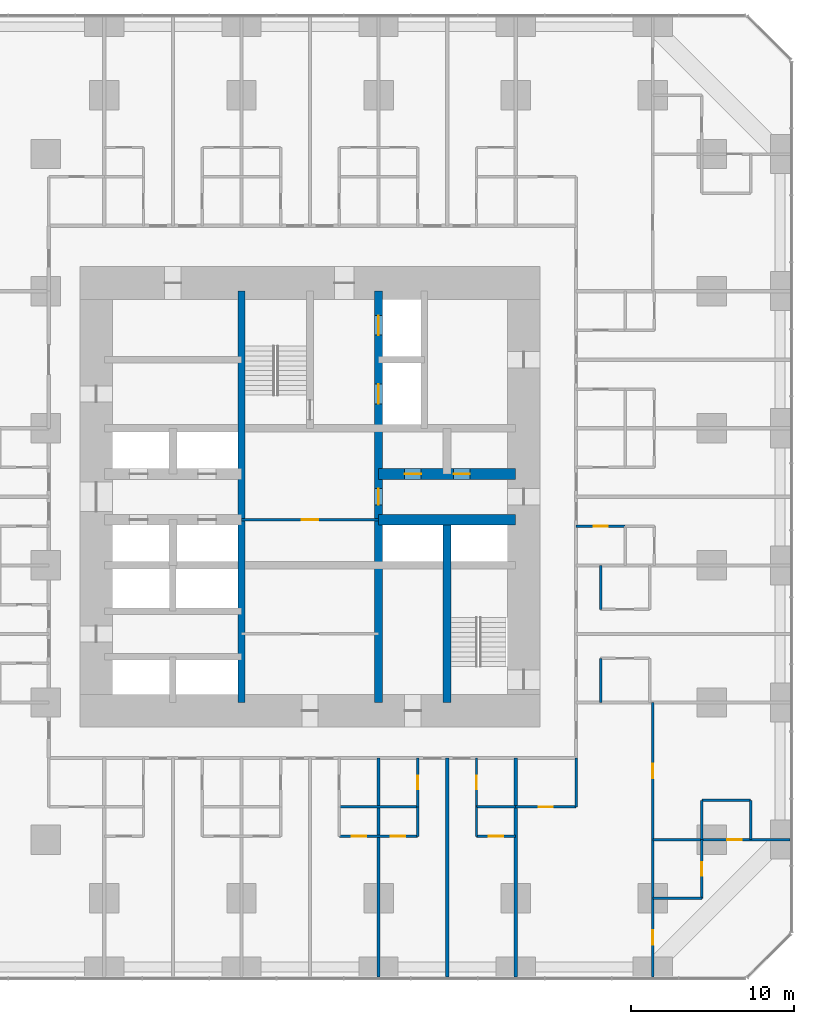
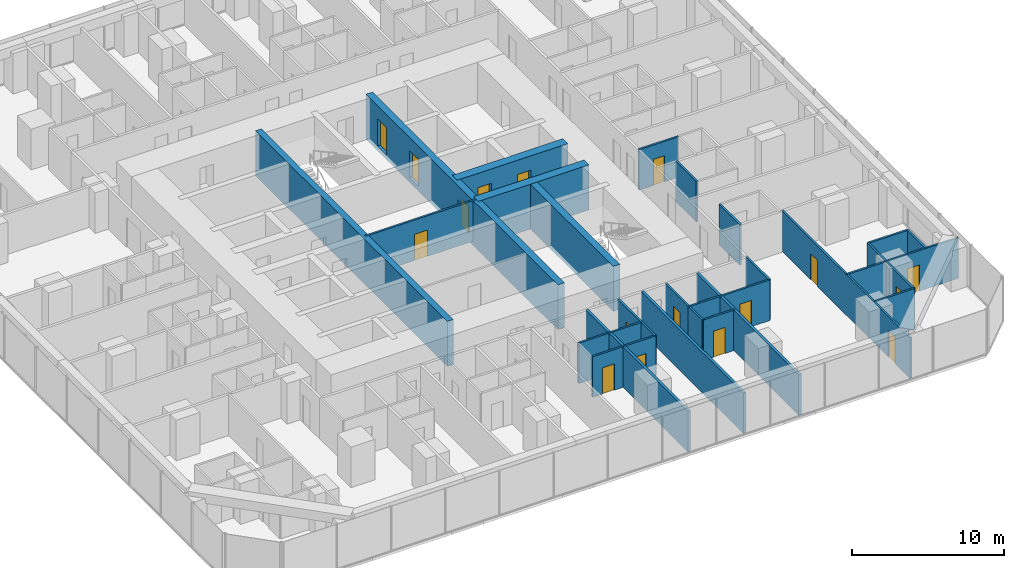
# One storey, part 13 of 18: 29 walls, 17 doors, 17 openings.
"""IFC4 building model written with IfcOpenShell, lengths in metres."""

from ifc_helpers import new_model, si_unit, direction, frame, frame_2d, origin, place, context, subcontext, project, spatial, rectangle, extrude, material, layer, layer_set, type_object, element, fill, save


model = new_model("IFC4")

# Units and contexts
model_context = context("Model", 3, precision=1e-05, world=origin(), true_north=direction((0.0, 1.0)))
body_context = subcontext(model_context, "Body", "Model", "MODEL_VIEW")
ifc_project = project(units=[si_unit("LENGTHUNIT", "METRE"), si_unit("AREAUNIT", "SQUARE_METRE"), si_unit("VOLUMEUNIT", "CUBIC_METRE"), si_unit("PLANEANGLEUNIT", "RADIAN"), si_unit("MASSUNIT", "GRAM", prefix="KILO")], contexts=[model_context])

# Site, building, storey
site_placement = place(None, origin())
site = spatial("IfcSite", under=ifc_project, at=site_placement, CompositionType="ELEMENT")
building_placement = place(site_placement, origin())
building = spatial("IfcBuilding", under=site, at=building_placement, Name="Dunama Terrace Hotel", CompositionType="ELEMENT")
storey_placement = place(building_placement, frame((0.0, 0.0, 27.0)))
storey = spatial("IfcBuildingStorey", under=building, at=storey_placement, Name="L05", CompositionType="ELEMENT", Elevation=27.0)

# Wall, opening, door
ifc_material_1 = material(Name="Gypsum board partition", Category="masonry")
ifc_layer_1 = layer(ifc_material_1, 0.14990234375)
ifc_layer_set_1 = layer_set([ifc_layer_1], Name="Bathroom partition 150")
wall_type_1 = type_object("IfcWallType", Name="Bathroom partition 150", PredefinedType="PARTITIONING", material=ifc_layer_set_1)
wall_1_placement = place(storey_placement, frame((36.0, 10.39990234375, 0.0), z_axis=(0.0, 0.0, 1.0), x_axis=(0.0, 1.0, 0.0)))
wall_1 = element("IfcWall", 1, at=wall_1_placement, inside=storey, type_object=wall_type_1, Name="Bathroom partition 150 L05", PredefinedType="PARTITIONING", context=body_context, shape_type="SweptSolid", body=[
    extrude(rectangle(XDim=3.0, YDim=0.14990234375, at=frame_2d((1.5, 0.0))), origin(), (0.0, 0.0, 1.0), 3.25),
])
opening_1_placement = place(wall_1_placement, frame((1.074951171875, 0.0, 0.0)))
opening_1 = element("IfcOpeningElement", 2, at=opening_1_placement, cuts=wall_1, Name="Opening L05-022", PredefinedType="OPENING", context=body_context, shape_type="SweptSolid", body=[
    extrude(rectangle(XDim=0.85009765625, YDim=2.10009765625, at=frame_2d((0.425048828125, 1.050048828125))), frame((0.0, 0.0849609375, 0.0), z_axis=(0.0, -1.0, 0.0), x_axis=(1.0, 0.0, 0.0)), (0.0, 0.0, 1.0), 0.169921875),
])
ifc_material_2 = material(Name="Timber door with steel frame", Category="steel")
door_type_1 = type_object("IfcDoorType", Name="Bathroom door 850", OperationType="SINGLE_SWING_LEFT", PredefinedType="DOOR", material=ifc_material_2)
door_1_placement = place(opening_1_placement, origin())
door_1 = element("IfcDoor", 3, at=door_1_placement, inside=storey, type_object=door_type_1, Name="Door to en-suite bathroom L05-022, type D2", OperationType="SINGLE_SWING_RIGHT", OverallHeight=2.10009765625, OverallWidth=0.85009765625, PredefinedType="DOOR", context=body_context, shape_type="SweptSolid", body=[
    extrude(rectangle(XDim=0.85009765625, YDim=2.10009765625, at=frame_2d((0.425048828125, 1.050048828125))), frame((0.0, 0.02490234375, 0.0), z_axis=(0.0, -1.0, 0.0), x_axis=(1.0, 0.0, 0.0)), (0.0, 0.0, 1.0), 0.050048828125),
])
fill(opening_1, door_1)

wall_2_placement = place(storey_placement, frame((39.60009765625, 10.39990234375, 0.0), z_axis=(0.0, 0.0, 1.0), x_axis=(0.0, 1.0, 0.0)))
wall_2 = element("IfcWall", 4, at=wall_2_placement, inside=storey, type_object=wall_type_1, Name="Bathroom partition 150 L05", PredefinedType="PARTITIONING", context=body_context, shape_type="SweptSolid", body=[
    extrude(rectangle(XDim=3.0, YDim=0.14990234375, at=frame_2d((1.5, 0.0))), origin(), (0.0, 0.0, 1.0), 3.25),
])
opening_2_placement = place(wall_2_placement, frame((1.074951171875, 0.0, 0.0)))
opening_2 = element("IfcOpeningElement", 5, at=opening_2_placement, cuts=wall_2, Name="Opening L05-025", PredefinedType="OPENING", context=body_context, shape_type="SweptSolid", body=[
    extrude(rectangle(XDim=0.85009765625, YDim=2.10009765625, at=frame_2d((0.425048828125, 1.050048828125))), frame((0.0, 0.0849609375, 0.0), z_axis=(0.0, -1.0, 0.0), x_axis=(1.0, 0.0, 0.0)), (0.0, 0.0, 1.0), 0.169921875),
])
door_2_placement = place(opening_2_placement, frame((0.85009765625, 0.0, 0.0), z_axis=(0.0, 0.0, 1.0), x_axis=(-1.0, 0.0, 0.0)))
door_2 = element("IfcDoor", 6, at=door_2_placement, inside=storey, type_object=door_type_1, Name="Door to en-suite bathroom L05-025, type D2", OperationType="SINGLE_SWING_LEFT", OverallHeight=2.10009765625, OverallWidth=0.85009765625, PredefinedType="DOOR", context=body_context, shape_type="SweptSolid", body=[
    extrude(rectangle(XDim=0.85009765625, YDim=2.10009765625, at=frame_2d((0.425048828125, 1.050048828125))), frame((0.0, 0.025146484375, 0.0), z_axis=(0.0, -1.0, 0.0), x_axis=(1.0, 0.0, 0.0)), (0.0, 0.0, 1.0), 0.050048828125),
])
fill(opening_2, door_2)

# Walls
wall_3_placement = place(storey_placement, frame((45.699951171875, 10.39990234375, 0.0), z_axis=(0.0, 0.0, 1.0), x_axis=(0.0, 1.0, 0.0)))
element("IfcWall", 7, at=wall_3_placement, inside=storey, type_object=wall_type_1, Name="Bathroom partition 150 L05", PredefinedType="PARTITIONING", context=body_context, shape_type="SweptSolid", body=[
    extrude(rectangle(XDim=3.0, YDim=0.14990234375, at=frame_2d((1.5, 0.0))), origin(), (0.0, 0.0, 1.0), 3.25),
])
for number, where, z_axis, x_axis, name in (
    (8, (47.199951171875, 16.800048828125, 0.0), (0.0, 0.0, 1.0), (0.0, 1.0, 0.0), "Bathroom partition 150 L05"),
    (9, (47.199951171875, 22.5, 0.0), (0.0, 0.0, 1.0), (0.0, 1.0, 0.0), "Bathroom partition 150 L05"),
):
    element("IfcWall", number, at=place(storey_placement, frame(where, z_axis=z_axis, x_axis=x_axis)), inside=storey, type_object=wall_type_1, Name=name, PredefinedType="PARTITIONING", context=body_context, shape_type="SweptSolid", body=[
        extrude(rectangle(XDim=2.699951171875, YDim=0.14990234375, at=frame_2d((1.35009765625, 0.0))), origin(), (0.0, 0.0, 1.0), 3.25),
    ])

# Wall, opening, door
wall_4_placement = place(storey_placement, frame((53.39990234375, 4.800048828125, 0.0), z_axis=(0.0, 0.0, 1.0), x_axis=(0.0, 1.0, 0.0)))
wall_4 = element("IfcWall", 10, at=wall_4_placement, inside=storey, type_object=wall_type_1, Name="Bathroom partition 150 L05", PredefinedType="PARTITIONING", context=body_context, shape_type="SweptSolid", body=[
    extrude(rectangle(XDim=3.599853515625, YDim=0.14990234375, at=frame_2d((1.7998046875, 0.0))), origin(), (0.0, 0.0, 1.0), 3.25),
])
opening_3_placement = place(wall_4_placement, frame((1.375, 0.0, 0.0)))
opening_3 = element("IfcOpeningElement", 11, at=opening_3_placement, cuts=wall_4, Name="Opening L05-083", PredefinedType="OPENING", context=body_context, shape_type="SweptSolid", body=[
    extrude(rectangle(XDim=0.85009765625, YDim=2.10009765625, at=frame_2d((0.425048828125, 1.050048828125))), frame((0.0, 0.0849609375, 0.0), z_axis=(0.0, -1.0, 0.0), x_axis=(1.0, 0.0, 0.0)), (0.0, 0.0, 1.0), 0.169921875),
])
door_3_placement = place(opening_3_placement, origin())
door_3 = element("IfcDoor", 12, at=door_3_placement, inside=storey, type_object=door_type_1, Name="Door to en-suite bathroom L05-083, type D2", OperationType="SINGLE_SWING_RIGHT", OverallHeight=2.10009765625, OverallWidth=0.85009765625, PredefinedType="DOOR", context=body_context, shape_type="SweptSolid", body=[
    extrude(rectangle(XDim=0.85009765625, YDim=2.10009765625, at=frame_2d((0.425048828125, 1.050048828125))), frame((0.0, 0.02490234375, 0.0), z_axis=(0.0, -1.0, 0.0), x_axis=(1.0, 0.0, 0.0)), (0.0, 0.0, 1.0), 0.050048828125),
])
fill(opening_3, door_3)

# Wall
wall_5_placement = place(storey_placement, frame((50.39990234375, 4.800048828125, 0.0), z_axis=(0.0, 0.0, 1.0), x_axis=(1.0, 0.0, 0.0)))
element("IfcWall", 13, at=wall_5_placement, inside=storey, type_object=wall_type_1, Name="Bathroom partition 150 L05", PredefinedType="PARTITIONING", context=body_context, shape_type="SweptSolid", body=[
    extrude(rectangle(XDim=3.0, YDim=0.14990234375, at=frame_2d((1.5, 0.0))), origin(), (0.0, 0.0, 1.0), 3.25),
])

# Wall, opening, door
wall_6_placement = place(storey_placement, frame((42.0, 10.39990234375, 0.0), z_axis=(0.0, 0.0, 1.0), x_axis=(1.0, 0.0, 0.0)))
wall_6 = element("IfcWall", 14, at=wall_6_placement, inside=storey, type_object=wall_type_1, Name="Bathroom partition 150 L05", PredefinedType="PARTITIONING", context=body_context, shape_type="SweptSolid", body=[
    extrude(rectangle(XDim=3.699951171875, YDim=0.14990234375, at=frame_2d((1.85009765625, 0.0))), origin(), (0.0, 0.0, 1.0), 3.25),
])
opening_4_placement = place(wall_6_placement, frame((1.425048828125, 0.0, 0.0)))
opening_4 = element("IfcOpeningElement", 15, at=opening_4_placement, cuts=wall_6, Name="Opening L05-081", PredefinedType="OPENING", context=body_context, shape_type="SweptSolid", body=[
    extrude(rectangle(XDim=0.85009765625, YDim=2.10009765625, at=frame_2d((0.425048828125, 1.050048828125))), frame((0.0, 0.0849609375, 0.0), z_axis=(0.0, -1.0, 0.0), x_axis=(1.0, 0.0, 0.0)), (0.0, 0.0, 1.0), 0.169921875),
])
door_4_placement = place(opening_4_placement, origin())
door_4 = element("IfcDoor", 16, at=door_4_placement, inside=storey, type_object=door_type_1, Name="Door to powder room L05-081, type D2", OperationType="SINGLE_SWING_LEFT", OverallHeight=2.10009765625, OverallWidth=0.85009765625, PredefinedType="DOOR", context=body_context, shape_type="SweptSolid", body=[
    extrude(rectangle(XDim=0.85009765625, YDim=2.10009765625, at=frame_2d((0.425048828125, 1.050048828125))), frame((0.0, 0.02490234375, 0.0), z_axis=(0.0, -1.0, 0.0), x_axis=(1.0, 0.0, 0.0)), (0.0, 0.0, 1.0), 0.050048828125),
])
fill(opening_4, door_4)

wall_7_placement = place(storey_placement, frame((45.699951171875, 27.60009765625, 0.0), z_axis=(0.0, 0.0, 1.0), x_axis=(1.0, 0.0, 0.0)))
wall_7 = element("IfcWall", 17, at=wall_7_placement, inside=storey, type_object=wall_type_1, Name="Bathroom partition 150 L05", PredefinedType="PARTITIONING", context=body_context, shape_type="SweptSolid", body=[
    extrude(rectangle(XDim=3.0, YDim=0.14990234375, at=frame_2d((1.5, 0.0))), origin(), (0.0, 0.0, 1.0), 3.25),
])
opening_5_placement = place(wall_7_placement, frame((1.074951171875, 0.0, 0.0)))
opening_5 = element("IfcOpeningElement", 18, at=opening_5_placement, cuts=wall_7, Name="Opening L05-032", PredefinedType="OPENING", context=body_context, shape_type="SweptSolid", body=[
    extrude(rectangle(XDim=0.85009765625, YDim=2.10009765625, at=frame_2d((0.425048828125, 1.050048828125))), frame((0.0, 0.0849609375, 0.0), z_axis=(0.0, -1.0, 0.0), x_axis=(1.0, 0.0, 0.0)), (0.0, 0.0, 1.0), 0.169921875),
])
door_5_placement = place(opening_5_placement, frame((0.85009765625, 0.0, 0.0), z_axis=(0.0, 0.0, 1.0), x_axis=(-1.0, 0.0, 0.0)))
door_5 = element("IfcDoor", 19, at=door_5_placement, inside=storey, type_object=door_type_1, Name="Door to en-suite bathroom L05-032, type D2", OperationType="SINGLE_SWING_RIGHT", OverallHeight=2.10009765625, OverallWidth=0.85009765625, PredefinedType="DOOR", context=body_context, shape_type="SweptSolid", body=[
    extrude(rectangle(XDim=0.85009765625, YDim=2.10009765625, at=frame_2d((0.425048828125, 1.050048828125))), frame((0.0, 0.025146484375, 0.0), z_axis=(0.0, -1.0, 0.0), x_axis=(1.0, 0.0, 0.0)), (0.0, 0.0, 1.0), 0.050048828125),
])
fill(opening_5, door_5)

# Wall
ifc_material_3 = material(Name="Concrete C50/60", Category="concrete")
ifc_layer_2 = layer(ifc_material_3, 0.449951171875)
ifc_layer_set_2 = layer_set([ifc_layer_2], Name="Core inner wall 450")
wall_type_2 = type_object("IfcWallType", Name="Core inner wall 450", PredefinedType="SHEAR", material=ifc_layer_set_2)
wall_8_placement = place(storey_placement, frame((25.199951171875, 16.800048828125, -0.35009765625), z_axis=(0.0, 0.0, 1.0), x_axis=(0.0, 1.0, 0.0)))
element("IfcWall", 20, at=wall_8_placement, inside=storey, type_object=wall_type_2, Name="Core inner wall 450 L05", PredefinedType="SHEAR", context=body_context, shape_type="SweptSolid", body=[
    extrude(rectangle(XDim=25.199951171875, YDim=0.449951171875, at=frame_2d((12.60009765625, 0.0))), origin(), (0.0, 0.0, 1.0), 3.60009765625),
])

# Wall, openings, doors
ifc_material_4 = material(Name="Concrete C50/60", Category="concrete")
ifc_layer_3 = layer(ifc_material_4, 0.5)
ifc_layer_set_3 = layer_set([ifc_layer_3], Name="Core inner wall 500")
wall_type_3 = type_object("IfcWallType", Name="Core inner wall 500", PredefinedType="SHEAR", material=ifc_layer_set_3)
wall_9_placement = place(storey_placement, frame((33.60009765625, 16.800048828125, -0.35009765625), z_axis=(0.0, 0.0, 1.0), x_axis=(0.0, 1.0, 0.0)))
wall_9 = element("IfcWall", 21, at=wall_9_placement, inside=storey, type_object=wall_type_3, Name="Core inner wall 500 L05", PredefinedType="SHEAR", context=body_context, shape_type="SweptSolid", body=[
    extrude(rectangle(XDim=25.199951171875, YDim=0.5, at=frame_2d((12.60009765625, 0.0))), origin(), (0.0, 0.0, 1.0), 3.60009765625),
])
opening_6_placement = place(wall_9_placement, frame((22.5, 0.0, 0.35009765625)))
opening_6 = element("IfcOpeningElement", 22, at=opening_6_placement, cuts=wall_9, Name="Opening L05-007", PredefinedType="OPENING", context=body_context, shape_type="SweptSolid", body=[
    extrude(rectangle(XDim=1.199951171875, YDim=2.199951171875, at=frame_2d((0.60009765625, 1.10009765625))), frame((0.0, 0.260009765625, 0.0), z_axis=(0.0, -1.0, 0.0), x_axis=(1.0, 0.0, 0.0)), (0.0, 0.0, 1.0), 0.52001953125),
])
opening_7_placement = place(wall_9_placement, frame((18.300048828125, 0.0, 0.35009765625)))
opening_7 = element("IfcOpeningElement", 23, at=opening_7_placement, cuts=wall_9, Name="Opening L05-008", PredefinedType="OPENING", context=body_context, shape_type="SweptSolid", body=[
    extrude(rectangle(XDim=1.199951171875, YDim=2.199951171875, at=frame_2d((0.60009765625, 1.10009765625))), frame((0.0, 0.260009765625, 0.0), z_axis=(0.0, -1.0, 0.0), x_axis=(1.0, 0.0, 0.0)), (0.0, 0.0, 1.0), 0.52001953125),
])
opening_8_placement = place(wall_9_placement, frame((12.10009765625, 0.0, 0.35009765625)))
opening_8 = element("IfcOpeningElement", 24, at=opening_8_placement, cuts=wall_9, Name="Opening L05-102", PredefinedType="OPENING", context=body_context, shape_type="SweptSolid", body=[
    extrude(rectangle(XDim=1.0, YDim=2.10009765625, at=frame_2d((0.5, 1.050048828125))), frame((0.0, 0.260009765625, 0.0), z_axis=(0.0, -1.0, 0.0), x_axis=(1.0, 0.0, 0.0)), (0.0, 0.0, 1.0), 0.52001953125),
])
ifc_material_5 = material(Name="Stainless steel lift door", Category="steel")
door_type_2 = type_object("IfcDoorType", Name="Firefighting lift landing door 1200", OperationType="DOUBLE_DOOR_SLIDING", PredefinedType="DOOR", material=ifc_material_5)
door_6_placement = place(opening_6_placement, origin())
door_6 = element("IfcDoor", 25, at=door_6_placement, inside=storey, type_object=door_type_2, Name="Landing door FL1 L05-007, type LD2", OperationType="DOUBLE_DOOR_SLIDING", OverallHeight=2.199951171875, OverallWidth=1.199951171875, PredefinedType="DOOR", context=body_context, shape_type="SweptSolid", body=[
    extrude(rectangle(XDim=1.199951171875, YDim=2.199951171875, at=frame_2d((0.60009765625, 1.10009765625))), frame((0.0, 0.02490234375, 0.0), z_axis=(0.0, -1.0, 0.0), x_axis=(1.0, 0.0, 0.0)), (0.0, 0.0, 1.0), 0.050048828125),
])
fill(opening_6, door_6)
door_7_placement = place(opening_7_placement, origin())
door_7 = element("IfcDoor", 26, at=door_7_placement, inside=storey, type_object=door_type_2, Name="Landing door FL2 L05-008, type LD2", OperationType="DOUBLE_DOOR_SLIDING", OverallHeight=2.199951171875, OverallWidth=1.199951171875, PredefinedType="DOOR", context=body_context, shape_type="SweptSolid", body=[
    extrude(rectangle(XDim=1.199951171875, YDim=2.199951171875, at=frame_2d((0.60009765625, 1.10009765625))), frame((0.0, 0.02490234375, 0.0), z_axis=(0.0, -1.0, 0.0), x_axis=(1.0, 0.0, 0.0)), (0.0, 0.0, 1.0), 0.050048828125),
])
fill(opening_7, door_7)
ifc_material_6 = material(Name="Timber door with steel frame", Category="steel")
door_type_3 = type_object("IfcDoorType", Name="Service door 1000", OperationType="SINGLE_SWING_LEFT", PredefinedType="DOOR", material=ifc_material_6)
door_8_placement = place(opening_8_placement, origin())
door_8 = element("IfcDoor", 27, at=door_8_placement, inside=storey, type_object=door_type_3, Name="Door to guest amenities store L05-102, type D7", OperationType="SINGLE_SWING_LEFT", OverallHeight=2.10009765625, OverallWidth=1.0, PredefinedType="DOOR", context=body_context, shape_type="SweptSolid", body=[
    extrude(rectangle(XDim=1.0, YDim=2.10009765625, at=frame_2d((0.5, 1.050048828125))), frame((0.0, 0.02490234375, 0.0), z_axis=(0.0, -1.0, 0.0), x_axis=(1.0, 0.0, 0.0)), (0.0, 0.0, 1.0), 0.050048828125),
])
fill(opening_8, door_8)

# Walls
wall_10_placement = place(storey_placement, frame((37.800048828125, 16.800048828125, -0.35009765625), z_axis=(0.0, 0.0, 1.0), x_axis=(0.0, 1.0, 0.0)))
element("IfcWall", 28, at=wall_10_placement, inside=storey, type_object=wall_type_3, Name="Core inner wall 500 L05", PredefinedType="SHEAR", context=body_context, shape_type="SweptSolid", body=[
    extrude(rectangle(XDim=11.199951171875, YDim=0.5, at=frame_2d((5.60009765625, 0.0))), origin(), (0.0, 0.0, 1.0), 3.60009765625),
])
ifc_material_7 = material(Name="Concrete C50/60", Category="concrete")
ifc_layer_4 = layer(ifc_material_7, 0.64990234375)
ifc_layer_set_4 = layer_set([ifc_layer_4], Name="Core inner wall 650")
wall_type_4 = type_object("IfcWallType", Name="Core inner wall 650", PredefinedType="SHEAR", material=ifc_layer_set_4)
wall_11_placement = place(storey_placement, frame((33.60009765625, 28.0, -0.35009765625), z_axis=(0.0, 0.0, 1.0), x_axis=(1.0, 0.0, 0.0)))
element("IfcWall", 29, at=wall_11_placement, inside=storey, type_object=wall_type_4, Name="Core inner wall 650 L05", PredefinedType="SHEAR", context=body_context, shape_type="SweptSolid", body=[
    extrude(rectangle(XDim=8.39990234375, YDim=0.64990234375, at=frame_2d((4.199951171875, 0.0))), origin(), (0.0, 0.0, 1.0), 3.60009765625),
])

# Wall, openings, doors
wall_12_placement = place(storey_placement, frame((33.60009765625, 30.800048828125, -0.35009765625), z_axis=(0.0, 0.0, 1.0), x_axis=(1.0, 0.0, 0.0)))
wall_12 = element("IfcWall", 30, at=wall_12_placement, inside=storey, type_object=wall_type_4, Name="Core inner wall 650 L05", PredefinedType="SHEAR", context=body_context, shape_type="SweptSolid", body=[
    extrude(rectangle(XDim=8.39990234375, YDim=0.64990234375, at=frame_2d((4.199951171875, 0.0))), origin(), (0.0, 0.0, 1.0), 3.60009765625),
])
opening_9_placement = place(wall_12_placement, frame((1.60009765625, 0.0, 0.35009765625)))
opening_9 = element("IfcOpeningElement", 31, at=opening_9_placement, cuts=wall_12, Name="Opening L05-104", PredefinedType="OPENING", context=body_context, shape_type="SweptSolid", body=[
    extrude(rectangle(XDim=1.0, YDim=2.10009765625, at=frame_2d((0.5, 1.050048828125))), frame((0.0, 0.3349609375, 0.0), z_axis=(0.0, -1.0, 0.0), x_axis=(1.0, 0.0, 0.0)), (0.0, 0.0, 1.0), 0.669921875),
])
opening_10_placement = place(wall_12_placement, frame((4.60009765625, 0.0, 0.35009765625)))
opening_10 = element("IfcOpeningElement", 32, at=opening_10_placement, cuts=wall_12, Name="Opening L05-105", PredefinedType="OPENING", context=body_context, shape_type="SweptSolid", body=[
    extrude(rectangle(XDim=1.0, YDim=2.10009765625, at=frame_2d((0.5, 1.050048828125))), frame((0.0, 0.3349609375, 0.0), z_axis=(0.0, -1.0, 0.0), x_axis=(1.0, 0.0, 0.0)), (0.0, 0.0, 1.0), 0.669921875),
])
door_9_placement = place(opening_9_placement, origin())
door_9 = element("IfcDoor", 33, at=door_9_placement, inside=storey, type_object=door_type_3, Name="Door to service riser L05-104, type D7", OperationType="SINGLE_SWING_RIGHT", OverallHeight=2.10009765625, OverallWidth=1.0, PredefinedType="DOOR", context=body_context, shape_type="SweptSolid", body=[
    extrude(rectangle(XDim=1.0, YDim=2.10009765625, at=frame_2d((0.5, 1.050048828125))), frame((0.0, 0.02490234375, 0.0), z_axis=(0.0, -1.0, 0.0), x_axis=(1.0, 0.0, 0.0)), (0.0, 0.0, 1.0), 0.050048828125),
])
fill(opening_9, door_9)
door_10_placement = place(opening_10_placement, origin())
door_10 = element("IfcDoor", 34, at=door_10_placement, inside=storey, type_object=door_type_3, Name="Door to linen store L05-105, type D7", OperationType="SINGLE_SWING_LEFT", OverallHeight=2.10009765625, OverallWidth=1.0, PredefinedType="DOOR", context=body_context, shape_type="SweptSolid", body=[
    extrude(rectangle(XDim=1.0, YDim=2.10009765625, at=frame_2d((0.5, 1.050048828125))), frame((0.0, 0.02490234375, 0.0), z_axis=(0.0, -1.0, 0.0), x_axis=(1.0, 0.0, 0.0)), (0.0, 0.0, 1.0), 0.050048828125),
])
fill(opening_10, door_10)

# Walls
ifc_material_8 = material(Name="Concrete blockwork", Category="masonry")
ifc_layer_5 = layer(ifc_material_8, 0.199951171875)
ifc_layer_set_5 = layer_set([ifc_layer_5], Name="Party wall 200")
wall_type_5 = type_object("IfcWallType", Name="Party wall 200", PredefinedType="PARTITIONING", material=ifc_layer_set_5)
for number, where, z_axis, x_axis, name in (
    (35, (33.60009765625, -0.008056640625, 0.0), (0.0, 0.0, 1.0), (0.0, 1.0, 0.0), "Party wall 200 L05"),
    (36, (37.800048828125, -0.008056640625, 0.0), (0.0, 0.0, 1.0), (0.0, 1.0, 0.0), "Party wall 200 L05"),
    (37, (42.0, -0.008056640625, 0.0), (0.0, 0.0, 1.0), (0.0, 1.0, 0.0), "Party wall 200 L05"),
):
    element("IfcWall", number, at=place(storey_placement, frame(where, z_axis=z_axis, x_axis=x_axis)), inside=storey, type_object=wall_type_5, Name=name, PredefinedType="PARTITIONING", context=body_context, shape_type="SweptSolid", body=[
        extrude(rectangle(XDim=13.407958984375, YDim=0.199951171875, at=frame_2d((6.7041015625, 0.0))), origin(), (0.0, 0.0, 1.0), 3.25),
    ])
ifc_material_9 = material(Name="Gypsum board partition", Category="masonry")
ifc_layer_6 = layer(ifc_material_9, 0.14990234375)
ifc_layer_set_6 = layer_set([ifc_layer_6], Name="Room partition 150")
wall_type_6 = type_object("IfcWallType", Name="Room partition 150", PredefinedType="PARTITIONING", material=ifc_layer_set_6)
for number, where, z_axis, x_axis, name in (
    (38, (36.0, 8.60009765625, 0.0), (0.0, 0.0, 1.0), (0.0, 1.0, 0.0), "Room partition 150 L05"),
    (39, (39.60009765625, 8.60009765625, 0.0), (0.0, 0.0, 1.0), (0.0, 1.0, 0.0), "Room partition 150 L05"),
):
    element("IfcWall", number, at=place(storey_placement, frame(where, z_axis=z_axis, x_axis=x_axis)), inside=storey, type_object=wall_type_6, Name=name, PredefinedType="PARTITIONING", context=body_context, shape_type="SweptSolid", body=[
        extrude(rectangle(XDim=1.7998046875, YDim=0.14990234375, at=frame_2d((0.89990234375, 0.0))), origin(), (0.0, 0.0, 1.0), 3.25),
    ])

# Wall, openings, doors
wall_13_placement = place(storey_placement, frame((50.39990234375, -0.008056640625, 0.0), z_axis=(0.0, 0.0, 1.0), x_axis=(0.0, 1.0, 0.0)))
wall_13 = element("IfcWall", 40, at=wall_13_placement, inside=storey, type_object=wall_type_6, Name="Room partition 150 L05", PredefinedType="PARTITIONING", context=body_context, shape_type="SweptSolid", body=[
    extrude(rectangle(XDim=16.80810546875, YDim=0.14990234375, at=frame_2d((8.404052734375, 0.0))), origin(), (0.0, 0.0, 1.0), 3.25),
])
opening_11_placement = place(wall_13_placement, frame((1.9580078125, 0.0, 0.0)))
opening_11 = element("IfcOpeningElement", 41, at=opening_11_placement, cuts=wall_13, Name="Opening L05-082", PredefinedType="OPENING", context=body_context, shape_type="SweptSolid", body=[
    extrude(rectangle(XDim=0.89990234375, YDim=2.10009765625, at=frame_2d((0.449951171875, 1.050048828125))), frame((0.0, 0.0849609375, 0.0), z_axis=(0.0, -1.0, 0.0), x_axis=(1.0, 0.0, 0.0)), (0.0, 0.0, 1.0), 0.169921875),
])
opening_12_placement = place(wall_13_placement, frame((12.157958984375, 0.0, 0.0)))
opening_12 = element("IfcOpeningElement", 42, at=opening_12_placement, cuts=wall_13, Name="Opening L05-085", PredefinedType="OPENING", context=body_context, shape_type="SweptSolid", body=[
    extrude(rectangle(XDim=0.89990234375, YDim=2.10009765625, at=frame_2d((0.449951171875, 1.050048828125))), frame((0.0, 0.0849609375, 0.0), z_axis=(0.0, -1.0, 0.0), x_axis=(1.0, 0.0, 0.0)), (0.0, 0.0, 1.0), 0.169921875),
])
ifc_material_10 = material(Name="Timber door with steel frame", Category="steel")
door_type_4 = type_object("IfcDoorType", Name="Suite internal door 900", OperationType="SINGLE_SWING_LEFT", PredefinedType="DOOR", material=ifc_material_10)
door_11_placement = place(opening_11_placement, frame((0.89990234375, 0.0, 0.0), z_axis=(0.0, 0.0, 1.0), x_axis=(-1.0, 0.0, 0.0)))
door_11 = element("IfcDoor", 43, at=door_11_placement, inside=storey, type_object=door_type_4, Name="Door to corner suite bedroom L05-082, type D16", OperationType="SINGLE_SWING_RIGHT", OverallHeight=2.10009765625, OverallWidth=0.89990234375, PredefinedType="DOOR", context=body_context, shape_type="SweptSolid", body=[
    extrude(rectangle(XDim=0.89990234375, YDim=2.10009765625, at=frame_2d((0.449951171875, 1.050048828125))), frame((0.0, 0.025146484375, 0.0), z_axis=(0.0, -1.0, 0.0), x_axis=(1.0, 0.0, 0.0)), (0.0, 0.0, 1.0), 0.050048828125),
])
fill(opening_11, door_11)
door_12_placement = place(opening_12_placement, frame((0.89990234375, 0.0, 0.0), z_axis=(0.0, 0.0, 1.0), x_axis=(-1.0, 0.0, 0.0)))
door_12 = element("IfcDoor", 44, at=door_12_placement, inside=storey, type_object=door_type_4, Name="Door to corner suite study L05-085, type D16", OperationType="SINGLE_SWING_RIGHT", OverallHeight=2.10009765625, OverallWidth=0.89990234375, PredefinedType="DOOR", context=body_context, shape_type="SweptSolid", body=[
    extrude(rectangle(XDim=0.89990234375, YDim=2.10009765625, at=frame_2d((0.449951171875, 1.050048828125))), frame((0.0, 0.025146484375, 0.0), z_axis=(0.0, -1.0, 0.0), x_axis=(1.0, 0.0, 0.0)), (0.0, 0.0, 1.0), 0.050048828125),
])
fill(opening_12, door_12)

# Walls
for number, where, z_axis, x_axis, name in (
    (45, (53.39990234375, 8.39990234375, 0.0), (0.0, 0.0, 1.0), (0.0, 1.0, 0.0), "Room partition 150 L05"),
    (46, (56.39990234375, 8.39990234375, 0.0), (0.0, 0.0, 1.0), (0.0, 1.0, 0.0), "Room partition 150 L05"),
):
    element("IfcWall", number, at=place(storey_placement, frame(where, z_axis=z_axis, x_axis=x_axis)), inside=storey, type_object=wall_type_6, Name=name, PredefinedType="PARTITIONING", context=body_context, shape_type="SweptSolid", body=[
        extrude(rectangle(XDim=2.400146484375, YDim=0.14990234375, at=frame_2d((1.2001953125, 0.0))), origin(), (0.0, 0.0, 1.0), 3.25),
    ])

# Wall, opening, door
wall_14_placement = place(storey_placement, frame((50.39990234375, 8.39990234375, 0.0), z_axis=(0.0, 0.0, 1.0), x_axis=(1.0, 0.0, 0.0)))
wall_14 = element("IfcWall", 47, at=wall_14_placement, inside=storey, type_object=wall_type_6, Name="Room partition 150 L05", PredefinedType="PARTITIONING", context=body_context, shape_type="SweptSolid", body=[
    extrude(rectangle(XDim=8.408203125, YDim=0.14990234375, at=frame_2d((4.2041015625, 0.0))), origin(), (0.0, 0.0, 1.0), 3.25),
])
opening_13_placement = place(wall_14_placement, frame((4.550048828125, 0.0, 0.0)))
opening_13 = element("IfcOpeningElement", 48, at=opening_13_placement, cuts=wall_14, Name="Opening L05-084", PredefinedType="OPENING", context=body_context, shape_type="SweptSolid", body=[
    extrude(rectangle(XDim=0.89990234375, YDim=2.10009765625, at=frame_2d((0.449951171875, 1.050048828125))), frame((0.0, 0.0849609375, 0.0), z_axis=(0.0, -1.0, 0.0), x_axis=(1.0, 0.0, 0.0)), (0.0, 0.0, 1.0), 0.169921875),
])
door_13_placement = place(opening_13_placement, origin())
door_13 = element("IfcDoor", 49, at=door_13_placement, inside=storey, type_object=door_type_4, Name="Door to dressing room L05-084, type D16", OperationType="SINGLE_SWING_LEFT", OverallHeight=2.10009765625, OverallWidth=0.89990234375, PredefinedType="DOOR", context=body_context, shape_type="SweptSolid", body=[
    extrude(rectangle(XDim=0.89990234375, YDim=2.10009765625, at=frame_2d((0.449951171875, 1.050048828125))), frame((0.0, 0.02490234375, 0.0), z_axis=(0.0, -1.0, 0.0), x_axis=(1.0, 0.0, 0.0)), (0.0, 0.0, 1.0), 0.050048828125),
])
fill(opening_13, door_13)

# Wall, openings, doors
wall_15_placement = place(storey_placement, frame((31.199951171875, 8.60009765625, 0.0), z_axis=(0.0, 0.0, 1.0), x_axis=(1.0, 0.0, 0.0)))
wall_15 = element("IfcWall", 50, at=wall_15_placement, inside=storey, type_object=wall_type_6, Name="Room partition 150 L05", PredefinedType="PARTITIONING", context=body_context, shape_type="SweptSolid", body=[
    extrude(rectangle(XDim=4.800048828125, YDim=0.14990234375, at=frame_2d((2.39990234375, 0.0))), origin(), (0.0, 0.0, 1.0), 3.25),
])
opening_14_placement = place(wall_15_placement, frame((0.75, 0.0, 0.0)))
opening_14 = element("IfcOpeningElement", 51, at=opening_14_placement, cuts=wall_15, Name="Opening L05-020", PredefinedType="OPENING", context=body_context, shape_type="SweptSolid", body=[
    extrude(rectangle(XDim=0.89990234375, YDim=2.10009765625, at=frame_2d((0.449951171875, 1.050048828125))), frame((0.0, 0.0849609375, 0.0), z_axis=(0.0, -1.0, 0.0), x_axis=(1.0, 0.0, 0.0)), (0.0, 0.0, 1.0), 0.169921875),
])
opening_15_placement = place(wall_15_placement, frame((3.14990234375, 0.0, 0.0)))
opening_15 = element("IfcOpeningElement", 52, at=opening_15_placement, cuts=wall_15, Name="Opening L05-023", PredefinedType="OPENING", context=body_context, shape_type="SweptSolid", body=[
    extrude(rectangle(XDim=0.89990234375, YDim=2.10009765625, at=frame_2d((0.449951171875, 1.050048828125))), frame((0.0, 0.0849609375, 0.0), z_axis=(0.0, -1.0, 0.0), x_axis=(1.0, 0.0, 0.0)), (0.0, 0.0, 1.0), 0.169921875),
])
door_14_placement = place(opening_14_placement, origin())
door_14 = element("IfcDoor", 53, at=door_14_placement, inside=storey, type_object=door_type_4, Name="Door to walk-in wardrobe L05-020, type D16", OperationType="SINGLE_SWING_RIGHT", OverallHeight=2.10009765625, OverallWidth=0.89990234375, PredefinedType="DOOR", context=body_context, shape_type="SweptSolid", body=[
    extrude(rectangle(XDim=0.89990234375, YDim=2.10009765625, at=frame_2d((0.449951171875, 1.050048828125))), frame((0.0, 0.02490234375, 0.0), z_axis=(0.0, -1.0, 0.0), x_axis=(1.0, 0.0, 0.0)), (0.0, 0.0, 1.0), 0.050048828125),
])
fill(opening_14, door_14)
door_15_placement = place(opening_15_placement, origin())
door_15 = element("IfcDoor", 54, at=door_15_placement, inside=storey, type_object=door_type_4, Name="Door to walk-in wardrobe L05-023, type D16", OperationType="SINGLE_SWING_LEFT", OverallHeight=2.10009765625, OverallWidth=0.89990234375, PredefinedType="DOOR", context=body_context, shape_type="SweptSolid", body=[
    extrude(rectangle(XDim=0.89990234375, YDim=2.10009765625, at=frame_2d((0.449951171875, 1.050048828125))), frame((0.0, 0.02490234375, 0.0), z_axis=(0.0, -1.0, 0.0), x_axis=(1.0, 0.0, 0.0)), (0.0, 0.0, 1.0), 0.050048828125),
])
fill(opening_15, door_15)

# Wall, opening, door
wall_16_placement = place(storey_placement, frame((39.60009765625, 8.60009765625, 0.0), z_axis=(0.0, 0.0, 1.0), x_axis=(1.0, 0.0, 0.0)))
wall_16 = element("IfcWall", 55, at=wall_16_placement, inside=storey, type_object=wall_type_6, Name="Room partition 150 L05", PredefinedType="PARTITIONING", context=body_context, shape_type="SweptSolid", body=[
    extrude(rectangle(XDim=2.39990234375, YDim=0.14990234375, at=frame_2d((1.199951171875, 0.0))), origin(), (0.0, 0.0, 1.0), 3.25),
])
opening_16_placement = place(wall_16_placement, frame((0.75, 0.0, 0.0)))
opening_16 = element("IfcOpeningElement", 56, at=opening_16_placement, cuts=wall_16, Name="Opening L05-026", PredefinedType="OPENING", context=body_context, shape_type="SweptSolid", body=[
    extrude(rectangle(XDim=0.89990234375, YDim=2.10009765625, at=frame_2d((0.449951171875, 1.050048828125))), frame((0.0, 0.0849609375, 0.0), z_axis=(0.0, -1.0, 0.0), x_axis=(1.0, 0.0, 0.0)), (0.0, 0.0, 1.0), 0.169921875),
])
door_16_placement = place(opening_16_placement, origin())
door_16 = element("IfcDoor", 57, at=door_16_placement, inside=storey, type_object=door_type_4, Name="Door to walk-in wardrobe L05-026, type D16", OperationType="SINGLE_SWING_RIGHT", OverallHeight=2.10009765625, OverallWidth=0.89990234375, PredefinedType="DOOR", context=body_context, shape_type="SweptSolid", body=[
    extrude(rectangle(XDim=0.89990234375, YDim=2.10009765625, at=frame_2d((0.449951171875, 1.050048828125))), frame((0.0, 0.02490234375, 0.0), z_axis=(0.0, -1.0, 0.0), x_axis=(1.0, 0.0, 0.0)), (0.0, 0.0, 1.0), 0.050048828125),
])
fill(opening_16, door_16)

# Walls
wall_17_placement = place(storey_placement, frame((31.199951171875, 10.39990234375, 0.0), z_axis=(0.0, 0.0, 1.0), x_axis=(1.0, 0.0, 0.0)))
element("IfcWall", 58, at=wall_17_placement, inside=storey, type_object=wall_type_6, Name="Room partition 150 L05", PredefinedType="PARTITIONING", context=body_context, shape_type="SweptSolid", body=[
    extrude(rectangle(XDim=4.800048828125, YDim=0.14990234375, at=frame_2d((2.39990234375, 0.0))), origin(), (0.0, 0.0, 1.0), 3.25),
])
wall_18_placement = place(storey_placement, frame((39.60009765625, 10.39990234375, 0.0), z_axis=(0.0, 0.0, 1.0), x_axis=(1.0, 0.0, 0.0)))
element("IfcWall", 59, at=wall_18_placement, inside=storey, type_object=wall_type_6, Name="Room partition 150 L05", PredefinedType="PARTITIONING", context=body_context, shape_type="SweptSolid", body=[
    extrude(rectangle(XDim=2.39990234375, YDim=0.14990234375, at=frame_2d((1.199951171875, 0.0))), origin(), (0.0, 0.0, 1.0), 3.25),
])
wall_19_placement = place(storey_placement, frame((53.39990234375, 10.800048828125, 0.0), z_axis=(0.0, 0.0, 1.0), x_axis=(1.0, 0.0, 0.0)))
element("IfcWall", 60, at=wall_19_placement, inside=storey, type_object=wall_type_6, Name="Room partition 150 L05", PredefinedType="PARTITIONING", context=body_context, shape_type="SweptSolid", body=[
    extrude(rectangle(XDim=3.0, YDim=0.14990234375, at=frame_2d((1.5, 0.0))), origin(), (0.0, 0.0, 1.0), 3.25),
])

# Wall, opening, door
wall_20_placement = place(storey_placement, frame((25.199951171875, 28.0, 0.0), z_axis=(0.0, 0.0, 1.0), x_axis=(1.0, 0.0, 0.0)))
wall_20 = element("IfcWall", 61, at=wall_20_placement, inside=storey, type_object=wall_type_6, Name="Room partition 150 L05", PredefinedType="PARTITIONING", context=body_context, shape_type="SweptSolid", body=[
    extrude(rectangle(XDim=8.400146484375, YDim=0.14990234375, at=frame_2d((4.2001953125, 0.0))), origin(), (0.0, 0.0, 1.0), 3.25),
])
opening_17_placement = place(wall_20_placement, frame((3.699951171875, 0.0, 0.0)))
opening_17 = element("IfcOpeningElement", 62, at=opening_17_placement, cuts=wall_20, Name="Opening L05-103", PredefinedType="OPENING", context=body_context, shape_type="SweptSolid", body=[
    extrude(rectangle(XDim=1.0, YDim=2.10009765625, at=frame_2d((0.5, 1.050048828125))), frame((0.0, 0.0849609375, 0.0), z_axis=(0.0, -1.0, 0.0), x_axis=(1.0, 0.0, 0.0)), (0.0, 0.0, 1.0), 0.169921875),
])
door_17_placement = place(opening_17_placement, frame((1.0, 0.0, 0.0), z_axis=(0.0, 0.0, 1.0), x_axis=(-1.0, 0.0, 0.0)))
door_17 = element("IfcDoor", 63, at=door_17_placement, inside=storey, type_object=door_type_3, Name="Door to luggage store L05-103, type D7", OperationType="SINGLE_SWING_RIGHT", OverallHeight=2.10009765625, OverallWidth=1.0, PredefinedType="DOOR", context=body_context, shape_type="SweptSolid", body=[
    extrude(rectangle(XDim=1.0, YDim=2.10009765625, at=frame_2d((0.5, 1.050048828125))), frame((0.0, 0.025146484375, 0.0), z_axis=(0.0, -1.0, 0.0), x_axis=(1.0, 0.0, 0.0)), (0.0, 0.0, 1.0), 0.050048828125),
])
fill(opening_17, door_17)

save(model, "model.ifc")
